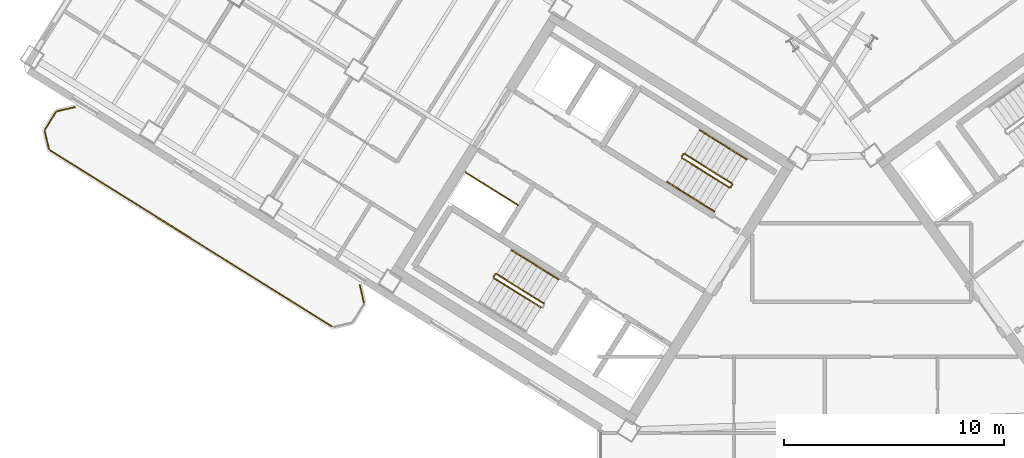
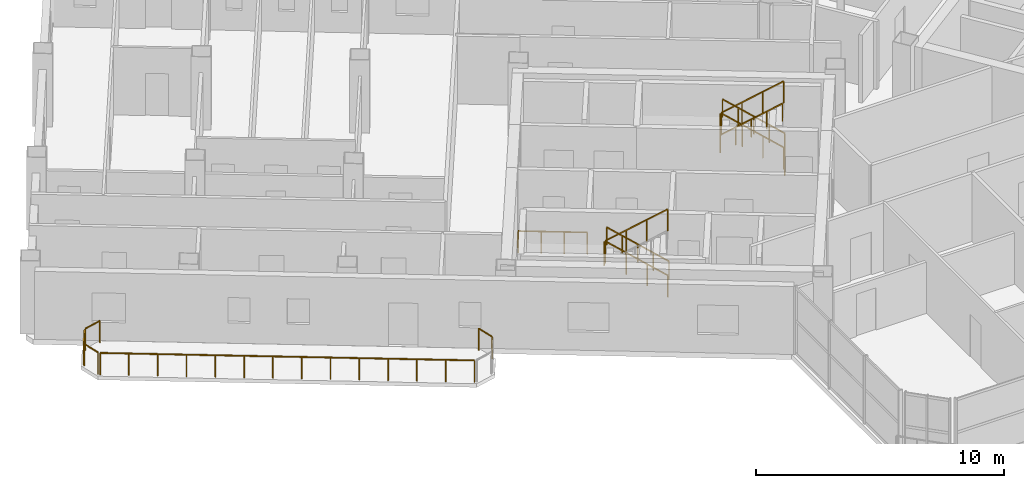
# One storey, part 18 of 20: 19 railings.
"""IFC4 building model written with IfcOpenShell, lengths in metres."""

import ifcopenshell
import ifcopenshell.guid

model = None  # the IFC model being written
_history = None  # IfcOwnerHistory: only IFC2X3 demands one
_inside = {}  # id of a spatial element -> (the spatial element, [elements in it])
_under = {}  # id of a project, library or spatial element -> (it, [spatial elements below it])
_declared = {}  # id of a project -> (the project, [libraries it declares])
_typed = {}  # id of a type object -> (the type object, [elements of that type])
_made_of = {}  # id of a material, layer set ... -> (it, [elements and type objects made of it])


def new_model(schema):
    """Start an empty IFC model of exactly this schema.

    Asked for "IFC4X3", IfcOpenShell would pick the latest addendum, in which some entities
    have other attributes; the version numbers below select the first issue.
    IFC2X3 requires an IfcOwnerHistory on every rooted entity: one is made here for all.
    """
    global model, _history
    if schema == "IFC4X3":
        model = ifcopenshell.file(schema_version=(4, 3, 0, 0))
    else:
        model = ifcopenshell.file(schema=schema)
    _inside.clear()
    _under.clear()
    _declared.clear()
    _typed.clear()
    _made_of.clear()
    _history = None
    if model.schema == "IFC2X3":
        org = make("IfcOrganization", Name="unknown")
        user = make(
            "IfcPersonAndOrganization",
            ThePerson=make("IfcPerson", FamilyName="unknown"),
            TheOrganization=org,
        )
        app = make(
            "IfcApplication",
            ApplicationDeveloper=org,
            Version="unknown",
            ApplicationFullName="unknown",
            ApplicationIdentifier="unknown",
        )
        _history = make(
            "IfcOwnerHistory",
            OwningUser=user,
            OwningApplication=app,
            ChangeAction="ADDED",
            CreationDate=0,
        )
    return model


def make(cls, **values):
    """One entity of the class cls with the attributes given. An attribute that is None is left unset."""
    return model.create_entity(
        cls, **{name: value for name, value in values.items() if value is not None}
    )


def rooted(cls, **values):
    """An entity with a GlobalId (a new one), such as an element, a storey or a relation."""
    return make(cls, GlobalId=ifcopenshell.guid.new(), OwnerHistory=_history, **values)


def si_unit(unit_type, name, prefix=None):
    """IfcSIUnit, for example si_unit("LENGTHUNIT", "METRE", prefix="MILLI")."""
    return make("IfcSIUnit", UnitType=unit_type, Prefix=prefix, Name=name)


def assignment(units):
    """IfcUnitAssignment: the units of a project."""
    return None if units is None else make("IfcUnitAssignment", Units=units)


def point(xyz):
    """IfcCartesianPoint."""
    return None if xyz is None else make("IfcCartesianPoint", Coordinates=xyz)


def direction(xyz):
    """IfcDirection."""
    return None if xyz is None else make("IfcDirection", DirectionRatios=xyz)


def frame(location, z_axis=None, x_axis=None):
    """IfcAxis2Placement3D, a coordinate frame: its origin and axes. An axis left out is left unset."""
    return make(
        "IfcAxis2Placement3D",
        Location=point(location),
        Axis=direction(z_axis),
        RefDirection=direction(x_axis),
    )


def frame_2d(location, x_axis=None):
    """IfcAxis2Placement2D, a coordinate frame in the plane: its origin and x axis."""
    return make(
        "IfcAxis2Placement2D", Location=point(location), RefDirection=direction(x_axis)
    )


def origin():
    """The frame at (0, 0, 0) with its axes left unset."""
    return frame((0.0, 0.0, 0.0))


def origin_2d():
    """The frame at (0, 0) in the plane with its x axis left unset."""
    return frame_2d((0.0, 0.0))


def place(relative_to, where):
    """IfcLocalPlacement: puts the frame where relative to a parent placement (None: the world)."""
    return make(
        "IfcLocalPlacement", PlacementRelTo=relative_to, RelativePlacement=where
    )


def context(
    kind, dimensions, precision=None, world=None, true_north=None, identifier=None
):
    """IfcGeometricRepresentationContext, for example the 3D "Model" context."""
    return make(
        "IfcGeometricRepresentationContext",
        ContextIdentifier=identifier,
        ContextType=kind,
        CoordinateSpaceDimension=dimensions,
        Precision=precision,
        WorldCoordinateSystem=world,
        TrueNorth=true_north,
    )


def subcontext(parent, identifier, kind, view, scale=None):
    """IfcGeometricRepresentationSubContext, for example "Body" below "Model"."""
    return make(
        "IfcGeometricRepresentationSubContext",
        ContextIdentifier=identifier,
        ContextType=kind,
        ParentContext=parent,
        TargetScale=scale,
        TargetView=view,
    )


def project(units=None, contexts=None):
    """IfcProject with its units and contexts."""
    return rooted(
        "IfcProject",
        Name="project",
        RepresentationContexts=contexts,
        UnitsInContext=assignment(units),
    )


def spatial(cls, under=None, at=None, **own):
    """A site, building, storey or space (cls), placed at a placement, below another one or the project."""
    s = rooted(cls, ObjectPlacement=at, **own)
    if under is not None:
        _under.setdefault(under.id(), (under, []))[1].append(s)
    return s


def profile(cls, at=None, kind="AREA", **sizes):
    """A parametric profile (cls). Its sizes go by their IFC names, for example OverallWidth=200.0."""
    return make(cls, ProfileType=kind, Position=at, **sizes)


def rectangle(**sizes):
    """IfcRectangleProfileDef."""
    return profile("IfcRectangleProfileDef", **sizes)


def extrude(swept, where, along, depth):
    """IfcExtrudedAreaSolid: the profile swept, set in the frame where, extruded along a direction by depth."""
    return make(
        "IfcExtrudedAreaSolid",
        SweptArea=swept,
        Position=where,
        ExtrudedDirection=direction(along),
        Depth=depth,
    )


def shape(context_of_items, identifier, shape_type, items):
    """IfcShapeRepresentation: the items that make up one representation, for example the "Body"."""
    return make(
        "IfcShapeRepresentation",
        ContextOfItems=context_of_items,
        RepresentationIdentifier=identifier,
        RepresentationType=shape_type,
        Items=items,
    )


def source(mapping_origin, context_of_items, identifier, shape_type, items):
    """IfcRepresentationMap: a shape defined once, which mapped items show again and again."""
    return make(
        "IfcRepresentationMap",
        MappingOrigin=mapping_origin,
        MappedRepresentation=shape(context_of_items, identifier, shape_type, items),
    )


def transform(
    local_origin,
    x_axis=None,
    y_axis=None,
    z_axis=None,
    scale=None,
    scale2=None,
    scale3=None,
    uniform=True,
):
    """IfcCartesianTransformationOperator3D, or its non-uniform kind. x_axis, y_axis, z_axis: its Axis1, 2, 3."""
    if uniform:
        return make(
            "IfcCartesianTransformationOperator3D",
            Axis1=direction(x_axis),
            Axis2=direction(y_axis),
            LocalOrigin=point(local_origin),
            Scale=scale,
            Axis3=direction(z_axis),
        )
    return make(
        "IfcCartesianTransformationOperator3DnonUniform",
        Axis1=direction(x_axis),
        Axis2=direction(y_axis),
        LocalOrigin=point(local_origin),
        Scale=scale,
        Axis3=direction(z_axis),
        Scale2=scale2,
        Scale3=scale3,
    )


def mapped(mapping_source, mapping_target):
    """IfcMappedItem: shows the shape of a source again, moved by a transform."""
    return make(
        "IfcMappedItem", MappingSource=mapping_source, MappingTarget=mapping_target
    )


def material(Name=None, Category=None):
    """IfcMaterial."""
    return make("IfcMaterial", Name=Name, Category=Category)


def made_of(thing, what):
    """Note that an element or type object is made of a material, layer set ...; save() writes the relation."""
    if what is not None:
        _made_of.setdefault(what.id(), (what, []))[1].append(thing)
    return thing


def type_object(cls, material=None, **own):
    """A type object (cls), such as IfcWallType, which elements share."""
    return made_of(rooted(cls, **own), material)


def element(
    cls,
    number,
    at=None,
    inside=None,
    cuts=None,
    type_object=None,
    material=None,
    context=None,
    identifier="Body",
    shape_type=None,
    held_by="IfcProductDefinitionShape",
    body=None,
    shapes=None,
    **own,
):
    """One element of the class cls, such as IfcWall. Its Tag is "e" and its number.

    at: its placement. inside: the storey or other place that contains it. cuts: it is an
    opening in that element (IfcRelVoidsElement). A single representation is given by context,
    identifier, shape_type and body (its items); several are given by shapes. held_by: the class
    of the entity that holds the representations. save() writes the other relations.
    """
    e = rooted(cls, Tag="e%d" % number, ObjectPlacement=at, **own)
    if body is not None:
        shapes = [shape(context, identifier, shape_type, body)]
    if shapes is not None:
        e.Representation = make(held_by, Representations=shapes)
    if inside is not None:
        _inside.setdefault(inside.id(), (inside, []))[1].append(e)
    if cuts is not None:
        rooted(
            "IfcRelVoidsElement", RelatingBuildingElement=cuts, RelatedOpeningElement=e
        )
    if type_object is not None:
        _typed.setdefault(type_object.id(), (type_object, []))[1].append(e)
    return made_of(e, material)


def aggregate(whole, parts):
    """IfcRelAggregates: a whole, such as a stair, and the parts it consists of."""
    return rooted("IfcRelAggregates", RelatingObject=whole, RelatedObjects=parts)


def save(model, path):
    """Write the relations noted so far, then the file.

    IfcRelAggregates (storeys below a building ...), IfcRelContainedInSpatialStructure (elements
    in a storey), IfcRelDefinesByType, IfcRelAssociatesMaterial and IfcRelDeclares: one each for
    every whole, place, type object, material and project.
    """
    for whole, parts in _under.values():
        aggregate(whole, parts)
    for where, things in _inside.values():
        rooted(
            "IfcRelContainedInSpatialStructure",
            RelatedElements=things,
            RelatingStructure=where,
        )
    for kind, things in _typed.values():
        rooted("IfcRelDefinesByType", RelatedObjects=things, RelatingType=kind)
    for what, things in _made_of.values():
        rooted("IfcRelAssociatesMaterial", RelatedObjects=things, RelatingMaterial=what)
    for by, libraries in _declared.values():
        rooted("IfcRelDeclares", RelatingContext=by, RelatedDefinitions=libraries)
    model.write(path)


model = new_model("IFC4")

# Units and contexts
model_context = context("Model", 3, precision=1e-05, world=origin(), true_north=direction((0.0, 1.0)))
body_context = subcontext(model_context, "Body", "Model", "MODEL_VIEW")
ifc_project = project(units=[si_unit("LENGTHUNIT", "METRE"), si_unit("AREAUNIT", "SQUARE_METRE"), si_unit("VOLUMEUNIT", "CUBIC_METRE"), si_unit("PLANEANGLEUNIT", "RADIAN"), si_unit("MASSUNIT", "GRAM", prefix="KILO")], contexts=[model_context])

# Site, building, storey
site_placement = place(None, origin())
site = spatial("IfcSite", under=ifc_project, at=site_placement, CompositionType="ELEMENT")
building_placement = place(site_placement, origin())
building = spatial("IfcBuilding", under=site, at=building_placement, Name="Tlacorven Tower", CompositionType="ELEMENT")
storey_placement = place(building_placement, frame((0.0, 0.0, 225.60009765625)))
storey = spatial("IfcBuildingStorey", under=building, at=storey_placement, Name="L57", CompositionType="ELEMENT", Elevation=225.60009765625)

# Railings
ifc_material = material(Name="Aluminium and painted steel balustrade", Category="steel")
railing_type_1 = type_object("IfcRailingType", Name="RL-GRD-1100", PredefinedType="GUARDRAIL", material=ifc_material)
shared_shape_1 = source(origin(), body_context, "Body", "SweptSolid", [
    extrude(rectangle(XDim=0.048095703125, YDim=0.048095703125, at=origin_2d()), frame((0.0, 0.0, 1.076171875), z_axis=(-0.848091358275, 0.529850024081, 0.0), x_axis=(-0.529850024081, -0.848091358275, 0.0)), (0.0, 0.0, 1.0), 2.800048828125),
    extrude(rectangle(XDim=0.0419921875, YDim=0.0419921875, at=origin_2d()), origin(), (0.0, 0.0, 1.0), 1.052001953125),
    extrude(rectangle(XDim=0.0419921875, YDim=0.0419921875, at=origin_2d()), frame((-0.79150390625, 0.49462890625, 0.0)), (0.0, 0.0, 1.0), 1.052001953125),
    extrude(rectangle(XDim=0.0419921875, YDim=0.0419921875, at=origin_2d()), frame((-1.583251953125, 0.989013671875, 0.0)), (0.0, 0.0, 1.0), 1.052001953125),
    extrude(rectangle(XDim=0.0419921875, YDim=0.0419921875, at=origin_2d()), frame((-2.374755859375, 1.483642578125, 0.0)), (0.0, 0.0, 1.0), 1.052001953125),
])
railing_1_placement = place(storey_placement, frame((27.9912109375, 22.32080078125, 0.0)))
element("IfcRailing", 1, at=railing_1_placement, inside=storey, type_object=railing_type_1, Name="L57 Electrical Riser W Shaft Guard 1", PredefinedType="GUARDRAIL", context=body_context, shape_type="MappedRepresentation", body=[
    mapped(shared_shape_1, transform((0.0, 0.0, 0.0), scale=1.0)),
])
railing_type_2 = type_object("IfcRailingType", Name="RL-BAL-1100", PredefinedType="BALUSTRADE", material=ifc_material)
shared_shape_2 = source(origin(), body_context, "Body", "SweptSolid", [
    extrude(rectangle(XDim=0.048095703125, YDim=0.048095703125, at=origin_2d()), frame((0.0, 0.0, 1.076171875), z_axis=(0.225058334816, -0.974345290916, 0.0), x_axis=(0.974345290916, 0.225058334816, 0.0)), (0.0, 0.0, 1.0), 0.80712890625),
    extrude(rectangle(XDim=0.0419921875, YDim=0.0419921875, at=origin_2d()), origin(), (0.0, 0.0, 1.0), 1.052001953125),
    extrude(rectangle(XDim=0.0419921875, YDim=0.0419921875, at=origin_2d()), frame((0.181640625, -0.786376953125, 0.0)), (0.0, 0.0, 1.0), 1.052001953125),
])
railing_2_placement = place(storey_placement, frame((20.809814453125, 18.671142578125, 0.0)))
element("IfcRailing", 2, at=railing_2_placement, inside=storey, type_object=railing_type_2, Name="BAL-L57-W-OUT Guard Railing 1", PredefinedType="BALUSTRADE", context=body_context, shape_type="MappedRepresentation", body=[
    mapped(shared_shape_2, transform((0.0, 0.0, 0.0), scale=1.0)),
])
shared_shape_3 = source(origin(), body_context, "Body", "SweptSolid", [
    extrude(rectangle(XDim=0.048095703125, YDim=0.048095703125, at=origin_2d()), frame((0.0, 0.0, 1.076171875), z_axis=(-0.225058334816, 0.974345290916, 0.0), x_axis=(-0.974345290916, -0.225058334816, 0.0)), (0.0, 0.0, 1.0), 0.80712890625),
    extrude(rectangle(XDim=0.0419921875, YDim=0.0419921875, at=origin_2d()), origin(), (0.0, 0.0, 1.0), 1.052001953125),
    extrude(rectangle(XDim=0.0419921875, YDim=0.0419921875, at=origin_2d()), frame((-0.181640625, 0.786376953125, 0.0)), (0.0, 0.0, 1.0), 1.052001953125),
])
railing_3_placement = place(storey_placement, frame((6.66650390625, 24.88623046875, 0.0)))
element("IfcRailing", 3, at=railing_3_placement, inside=storey, type_object=railing_type_2, Name="BAL-L57-W-OUT Guard Railing 5", PredefinedType="BALUSTRADE", context=body_context, shape_type="MappedRepresentation", body=[
    mapped(shared_shape_3, transform((0.0, 0.0, 0.0), scale=1.0)),
])
shared_shape_4 = source(origin(), body_context, "Body", "SweptSolid", [
    extrude(rectangle(XDim=0.048095703125, YDim=0.048095703125, at=origin_2d()), frame((0.0, 0.0, 1.076171875), z_axis=(0.974411586182, 0.224771129628, 0.0), x_axis=(-0.224771129628, 0.974411586182, 0.0)), (0.0, 0.0, 1.0), 0.80712890625),
    extrude(rectangle(XDim=0.0419921875, YDim=0.0419921875, at=origin_2d()), origin(), (0.0, 0.0, 1.0), 1.052001953125),
    extrude(rectangle(XDim=0.0419921875, YDim=0.0419921875, at=origin_2d()), frame((0.786376953125, 0.181396484375, 0.0)), (0.0, 0.0, 1.0), 1.052001953125),
])
railing_4_placement = place(storey_placement, frame((7.05859375, 26.591064453125, 0.0)))
element("IfcRailing", 4, at=railing_4_placement, inside=storey, type_object=railing_type_2, Name="BAL-L57-W-OUT Guard Railing 7", PredefinedType="BALUSTRADE", context=body_context, shape_type="MappedRepresentation", body=[
    mapped(shared_shape_4, transform((0.0, 0.0, 0.0), scale=1.0)),
])
shared_shape_5 = source(origin(), body_context, "Body", "SweptSolid", [
    extrude(rectangle(XDim=0.048095703125, YDim=0.048095703125, at=origin_2d()), frame((0.0, 0.0, 1.076171875), z_axis=(0.529998940003, 0.847998304005, 0.0), x_axis=(-0.847998304005, 0.529998940003, 0.0)), (0.0, 0.0, 1.0), 0.912109375),
    extrude(rectangle(XDim=0.0419921875, YDim=0.0419921875, at=origin_2d()), origin(), (0.0, 0.0, 1.0), 1.052001953125),
    extrude(rectangle(XDim=0.0419921875, YDim=0.0419921875, at=origin_2d()), frame((0.4833984375, 0.7734375, 0.0)), (0.0, 0.0, 1.0), 1.052001953125),
])
railing_5_placement = place(storey_placement, frame((6.5, 25.763916015625, 0.0)))
element("IfcRailing", 5, at=railing_5_placement, inside=storey, type_object=railing_type_2, Name="BAL-L57-W-OUT Guard Railing 6", PredefinedType="BALUSTRADE", context=body_context, shape_type="MappedRepresentation", body=[
    mapped(shared_shape_5, transform((0.0, 0.0, 0.0), scale=1.0)),
])
shared_shape_6 = source(origin(), body_context, "Body", "SweptSolid", [
    extrude(rectangle(XDim=0.048095703125, YDim=0.048095703125, at=origin_2d()), frame((0.0, 0.0, 1.076171875), z_axis=(-0.848051830527, 0.529913287944, 0.0), x_axis=(-0.529913287944, -0.848051830527, 0.0)), (0.0, 0.0, 1.0), 15.1171875),
    extrude(rectangle(XDim=0.0419921875, YDim=0.0419921875, at=origin_2d()), origin(), (0.0, 0.0, 1.0), 1.052001953125),
    extrude(rectangle(XDim=0.0419921875, YDim=0.0419921875, at=origin_2d()), frame((-0.986083984375, 0.6162109375, 0.0)), (0.0, 0.0, 1.0), 1.052001953125),
    extrude(rectangle(XDim=0.0419921875, YDim=0.0419921875, at=origin_2d()), frame((-1.972412109375, 1.232421875, 0.0)), (0.0, 0.0, 1.0), 1.052001953125),
    extrude(rectangle(XDim=0.0419921875, YDim=0.0419921875, at=origin_2d()), frame((-2.95849609375, 1.8486328125, 0.0)), (0.0, 0.0, 1.0), 1.052001953125),
    extrude(rectangle(XDim=0.0419921875, YDim=0.0419921875, at=origin_2d()), frame((-3.944580078125, 2.46484375, 0.0)), (0.0, 0.0, 1.0), 1.052001953125),
    extrude(rectangle(XDim=0.0419921875, YDim=0.0419921875, at=origin_2d()), frame((-4.930908203125, 3.0810546875, 0.0)), (0.0, 0.0, 1.0), 1.052001953125),
    extrude(rectangle(XDim=0.0419921875, YDim=0.0419921875, at=origin_2d()), frame((-5.9169921875, 3.697265625, 0.0)), (0.0, 0.0, 1.0), 1.052001953125),
    extrude(rectangle(XDim=0.0419921875, YDim=0.0419921875, at=origin_2d()), frame((-6.903076171875, 4.3134765625, 0.0)), (0.0, 0.0, 1.0), 1.052001953125),
    extrude(rectangle(XDim=0.0419921875, YDim=0.0419921875, at=origin_2d()), frame((-7.88916015625, 4.9296875, 0.0)), (0.0, 0.0, 1.0), 1.052001953125),
    extrude(rectangle(XDim=0.0419921875, YDim=0.0419921875, at=origin_2d()), frame((-8.87548828125, 5.5458984375, 0.0)), (0.0, 0.0, 1.0), 1.052001953125),
    extrude(rectangle(XDim=0.0419921875, YDim=0.0419921875, at=origin_2d()), frame((-9.861572265625, 6.162109375, 0.0)), (0.0, 0.0, 1.0), 1.052001953125),
    extrude(rectangle(XDim=0.0419921875, YDim=0.0419921875, at=origin_2d()), frame((-10.84765625, 6.7783203125, 0.0)), (0.0, 0.0, 1.0), 1.052001953125),
    extrude(rectangle(XDim=0.0419921875, YDim=0.0419921875, at=origin_2d()), frame((-11.833984375, 7.39453125, 0.0)), (0.0, 0.0, 1.0), 1.052001953125),
    extrude(rectangle(XDim=0.0419921875, YDim=0.0419921875, at=origin_2d()), frame((-12.820068359375, 8.0107421875, 0.0)), (0.0, 0.0, 1.0), 1.052001953125),
])
railing_6_placement = place(storey_placement, frame((19.5400390625, 16.80029296875, 0.0)))
element("IfcRailing", 6, at=railing_6_placement, inside=storey, type_object=railing_type_2, Name="BAL-L57-W-OUT Guard Railing 4", PredefinedType="BALUSTRADE", context=body_context, shape_type="MappedRepresentation", body=[
    mapped(shared_shape_6, transform((0.0, 0.0, 0.0), scale=1.0)),
])
shared_shape_7 = source(origin(), body_context, "Body", "SweptSolid", [
    extrude(rectangle(XDim=0.048095703125, YDim=0.048095703125, at=origin_2d()), frame((0.0, 0.0, 1.076171875), z_axis=(-0.530546985787, -0.847655529016, 0.0), x_axis=(0.847655529016, -0.530546985787, 0.0)), (0.0, 0.0, 1.0), 0.1201171875),
    extrude(rectangle(XDim=0.0419921875, YDim=0.0419921875, at=origin_2d()), origin(), (0.0, 0.0, 1.0), 1.052001953125),
    extrude(rectangle(XDim=0.0419921875, YDim=0.0419921875, at=origin_2d()), frame((-0.063720703125, -0.101806640625, 0.0)), (0.0, 0.0, 1.0), 1.052001953125),
])
for number, where, name in (
    (7, (26.954833984375, 19.17138671875, 1.7998046875), "L57 ST-W1 stair guard 2"),
    (8, (37.728271484375, 23.24072265625, 0.0), "L57 ST-W2 stair guard 4"),
):
    element("IfcRailing", number, at=place(storey_placement, frame(where)), inside=storey, type_object=railing_type_1, Name=name, PredefinedType="GUARDRAIL", context=body_context, shape_type="MappedRepresentation", body=[
        mapped(shared_shape_7, transform((0.0, 0.0, 0.0), scale=1.0)),
    ])
railing_type_3 = type_object("IfcRailingType", Name="RL-HND-0900", PredefinedType="HANDRAIL", material=ifc_material)
shared_shape_8 = source(origin(), body_context, "Body", "SweptSolid", [
    extrude(rectangle(XDim=0.048095703125, YDim=0.048095703125, at=origin_2d()), frame((0.0, 0.0, 0.8759765625), z_axis=(-0.713359751793, 0.4457479829, 0.540764828981), x_axis=(-0.529911857636, -0.848052724267, 0.0)), (0.0, 0.0, 1.0), 1.498046875),
    extrude(rectangle(XDim=0.0419921875, YDim=0.0419921875, at=origin_2d()), origin(), (0.0, 0.0, 1.0), 0.851806640625),
    extrude(rectangle(XDim=0.0419921875, YDim=0.0419921875, at=origin_2d()), frame((-0.5341796875, 0.333984375, 0.405029296875)), (0.0, 0.0, 1.0), 0.851806640625),
    extrude(rectangle(XDim=0.0419921875, YDim=0.0419921875, at=origin_2d()), frame((-1.068603515625, 0.667724609375, 0.81005859375)), (0.0, 0.0, 1.0), 0.851806640625),
])
for number, where, name in (
    (9, (29.839111328125, 18.937255859375, 0.179931640625), "L57 ST-W1 stair handrail 1"),
    (10, (38.390625, 24.39501953125, 0.179931640625), "L57 ST-W2 stair handrail 1"),
):
    element("IfcRailing", number, at=place(storey_placement, frame(where)), inside=storey, type_object=railing_type_3, Name=name, PredefinedType="HANDRAIL", context=body_context, shape_type="MappedRepresentation", body=[
        mapped(shared_shape_8, transform((0.0, 0.0, 0.0), scale=1.0)),
    ])
shared_shape_9 = source(origin(), body_context, "Body", "SweptSolid", [
    extrude(rectangle(XDim=0.048095703125, YDim=0.048095703125, at=origin_2d()), frame((0.0, 0.0, 0.8759765625), z_axis=(0.713359751793, -0.4457479829, 0.540764828981), x_axis=(0.529911857636, 0.848052724267, 0.0)), (0.0, 0.0, 1.0), 1.498046875),
    extrude(rectangle(XDim=0.0419921875, YDim=0.0419921875, at=origin_2d()), origin(), (0.0, 0.0, 1.0), 0.851806640625),
    extrude(rectangle(XDim=0.0419921875, YDim=0.0419921875, at=origin_2d()), frame((0.5341796875, -0.333984375, 0.405029296875)), (0.0, 0.0, 1.0), 0.851806640625),
    extrude(rectangle(XDim=0.0419921875, YDim=0.0419921875, at=origin_2d()), frame((1.068603515625, -0.667724609375, 0.81005859375)), (0.0, 0.0, 1.0), 0.851806640625),
])
railing_7_placement = place(storey_placement, frame((35.848876953125, 22.705078125, 2.789794921875)))
element("IfcRailing", 11, at=railing_7_placement, inside=storey, type_object=railing_type_3, Name="L57 ST-W2 stair handrail 4", PredefinedType="HANDRAIL", context=body_context, shape_type="MappedRepresentation", body=[
    mapped(shared_shape_9, transform((0.0, 0.0, 0.0), scale=1.0)),
])
shared_shape_10 = source(origin(), body_context, "Body", "SweptSolid", [
    extrude(rectangle(XDim=0.048095703125, YDim=0.048095703125, at=origin_2d()), frame((0.0, 0.0, 1.076171875), z_axis=(-0.713351164325, 0.445793541512, 0.540738601085), x_axis=(-0.529955395941, -0.84802551749, 0.0)), (0.0, 0.0, 1.0), 2.99560546875),
    extrude(rectangle(XDim=0.0419921875, YDim=0.0419921875, at=origin_2d()), origin(), (0.0, 0.0, 1.0), 1.052001953125),
    extrude(rectangle(XDim=0.0419921875, YDim=0.0419921875, at=origin_2d()), frame((-0.71240234375, 0.445068359375, 0.5400390625)), (0.0, 0.0, 1.0), 1.052001953125),
    extrude(rectangle(XDim=0.0419921875, YDim=0.0419921875, at=origin_2d()), frame((-1.424560546875, 0.890380859375, 1.079833984375)), (0.0, 0.0, 1.0), 1.052001953125),
    extrude(rectangle(XDim=0.0419921875, YDim=0.0419921875, at=origin_2d()), frame((-2.136962890625, 1.33544921875, 1.619873046875)), (0.0, 0.0, 1.0), 1.052001953125),
])
for number, where, name in (
    (12, (29.16064453125, 17.851806640625, 0.179931640625), "L57 ST-W1 stair guard 1"),
    (13, (37.712158203125, 23.3095703125, 0.179931640625), "L57 ST-W2 stair guard 1"),
):
    element("IfcRailing", number, at=place(storey_placement, frame(where)), inside=storey, type_object=railing_type_1, Name=name, PredefinedType="GUARDRAIL", context=body_context, shape_type="MappedRepresentation", body=[
        mapped(shared_shape_10, transform((0.0, 0.0, 0.0), scale=1.0)),
    ])
shared_shape_11 = source(origin(), body_context, "Body", "SweptSolid", [
    extrude(rectangle(XDim=0.048095703125, YDim=0.048095703125, at=origin_2d()), frame((0.0, 0.0, 1.076171875), z_axis=(0.71339118691, -0.44576762536, 0.540707165313), x_axis=(0.529911857636, 0.848052724267, 0.0)), (0.0, 0.0, 1.0), 2.995849609375),
    extrude(rectangle(XDim=0.0419921875, YDim=0.0419921875, at=origin_2d()), origin(), (0.0, 0.0, 1.0), 1.052001953125),
    extrude(rectangle(XDim=0.0419921875, YDim=0.0419921875, at=origin_2d()), frame((0.71240234375, -0.445068359375, 0.5400390625)), (0.0, 0.0, 1.0), 1.052001953125),
    extrude(rectangle(XDim=0.0419921875, YDim=0.0419921875, at=origin_2d()), frame((1.4248046875, -0.890380859375, 1.079833984375)), (0.0, 0.0, 1.0), 1.052001953125),
    extrude(rectangle(XDim=0.0419921875, YDim=0.0419921875, at=origin_2d()), frame((2.13720703125, -1.33544921875, 1.619873046875)), (0.0, 0.0, 1.0), 1.052001953125),
])
railing_8_placement = place(storey_placement, frame((26.906982421875, 19.000732421875, 1.97998046875)))
element("IfcRailing", 14, at=railing_8_placement, inside=storey, type_object=railing_type_1, Name="L57 ST-W1 stair guard 3", PredefinedType="GUARDRAIL", context=body_context, shape_type="MappedRepresentation", body=[
    mapped(shared_shape_11, transform((0.0, 0.0, 0.0), scale=1.0)),
])
shared_shape_12 = source(origin(), body_context, "Body", "SweptSolid", [
    extrude(rectangle(XDim=0.048095703125, YDim=0.048095703125, at=origin_2d()), frame((0.0, 0.0, 0.8759765625), z_axis=(-0.713422621445, 0.445787267455, 0.540649494022), x_axis=(-0.529911857636, -0.848052724267, 0.0)), (0.0, 0.0, 1.0), 1.497802734375),
    extrude(rectangle(XDim=0.0419921875, YDim=0.0419921875, at=origin_2d()), origin(), (0.0, 0.0, 1.0), 0.851806640625),
    extrude(rectangle(XDim=0.0419921875, YDim=0.0419921875, at=origin_2d()), frame((-0.5341796875, 0.333984375, 0.40478515625)), (0.0, 0.0, 1.0), 0.851806640625),
    extrude(rectangle(XDim=0.0419921875, YDim=0.0419921875, at=origin_2d()), frame((-1.068603515625, 0.667724609375, 0.809814453125)), (0.0, 0.0, 1.0), 0.851806640625),
])
for number, where, name in (
    (15, (28.7705078125, 19.60498046875, 0.989990234375), "L57 ST-W1 stair handrail 2"),
    (16, (37.322021484375, 25.062744140625, 0.989990234375), "L57 ST-W2 stair handrail 2"),
):
    element("IfcRailing", number, at=place(storey_placement, frame(where)), inside=storey, type_object=railing_type_3, Name=name, PredefinedType="HANDRAIL", context=body_context, shape_type="MappedRepresentation", body=[
        mapped(shared_shape_12, transform((0.0, 0.0, 0.0), scale=1.0)),
    ])
shared_shape_13 = source(origin(), body_context, "Body", "SweptSolid", [
    extrude(rectangle(XDim=0.048095703125, YDim=0.048095703125, at=origin_2d()), frame((0.0, 0.0, 0.8759765625), z_axis=(0.713422621445, -0.445787267455, 0.540649494022), x_axis=(0.529911857636, 0.848052724267, 0.0)), (0.0, 0.0, 1.0), 1.497802734375),
    extrude(rectangle(XDim=0.0419921875, YDim=0.0419921875, at=origin_2d()), origin(), (0.0, 0.0, 1.0), 0.851806640625),
    extrude(rectangle(XDim=0.0419921875, YDim=0.0419921875, at=origin_2d()), frame((0.5341796875, -0.333984375, 0.40478515625)), (0.0, 0.0, 1.0), 0.851806640625),
    extrude(rectangle(XDim=0.0419921875, YDim=0.0419921875, at=origin_2d()), frame((1.068603515625, -0.667724609375, 0.809814453125)), (0.0, 0.0, 1.0), 0.851806640625),
])
railing_9_placement = place(storey_placement, frame((34.7802734375, 23.372802734375, 1.97998046875)))
element("IfcRailing", 17, at=railing_9_placement, inside=storey, type_object=railing_type_3, Name="L57 ST-W2 stair handrail 3", PredefinedType="HANDRAIL", context=body_context, shape_type="MappedRepresentation", body=[
    mapped(shared_shape_13, transform((0.0, 0.0, 0.0), scale=1.0)),
])
shared_shape_14 = source(origin(), body_context, "Body", "SweptSolid", [
    extrude(rectangle(XDim=0.048095703125, YDim=0.048095703125, at=origin_2d()), frame((0.0, 0.0, 1.076171875), z_axis=(-0.531462422766, -0.847081869236, 0.0), x_axis=(0.847081869236, -0.531462422766, 0.0)), (0.0, 0.0, 1.0), 0.119873046875),
    extrude(rectangle(XDim=0.0419921875, YDim=0.0419921875, at=origin_2d()), origin(), (0.0, 0.0, 1.0), 1.052001953125),
    extrude(rectangle(XDim=0.0419921875, YDim=0.0419921875, at=origin_2d()), frame((-0.063720703125, -0.1015625, 0.0)), (0.0, 0.0, 1.0), 1.052001953125),
])
railing_10_placement = place(storey_placement, frame((35.50634765625, 24.62890625, 1.7998046875)))
element("IfcRailing", 18, at=railing_10_placement, inside=storey, type_object=railing_type_1, Name="L57 ST-W2 stair guard 2", PredefinedType="GUARDRAIL", context=body_context, shape_type="MappedRepresentation", body=[
    mapped(shared_shape_14, transform((0.0, 0.0, 0.0), scale=1.0)),
])
shared_shape_15 = source(origin(), body_context, "Body", "SweptSolid", [
    extrude(rectangle(XDim=0.048095703125, YDim=0.048095703125, at=origin_2d()), frame((0.0, 0.0, 1.076171875), z_axis=(0.713417101326, -0.445702322042, 0.540726806865), x_axis=(0.52984217967, 0.848096259066, 0.0)), (0.0, 0.0, 1.0), 2.995849609375),
    extrude(rectangle(XDim=0.0419921875, YDim=0.0419921875, at=origin_2d()), origin(), (0.0, 0.0, 1.0), 1.052001953125),
    extrude(rectangle(XDim=0.0419921875, YDim=0.0419921875, at=origin_2d()), frame((0.71240234375, -0.445068359375, 0.5400390625)), (0.0, 0.0, 1.0), 1.052001953125),
    extrude(rectangle(XDim=0.0419921875, YDim=0.0419921875, at=origin_2d()), frame((1.4248046875, -0.89013671875, 1.079833984375)), (0.0, 0.0, 1.0), 1.052001953125),
    extrude(rectangle(XDim=0.0419921875, YDim=0.0419921875, at=origin_2d()), frame((2.13720703125, -1.335205078125, 1.619873046875)), (0.0, 0.0, 1.0), 1.052001953125),
])
railing_11_placement = place(storey_placement, frame((35.45849609375, 24.458251953125, 1.97998046875)))
element("IfcRailing", 19, at=railing_11_placement, inside=storey, type_object=railing_type_1, Name="L57 ST-W2 stair guard 3", PredefinedType="GUARDRAIL", context=body_context, shape_type="MappedRepresentation", body=[
    mapped(shared_shape_15, transform((0.0, 0.0, 0.0), scale=1.0)),
])

save(model, "model.ifc")
